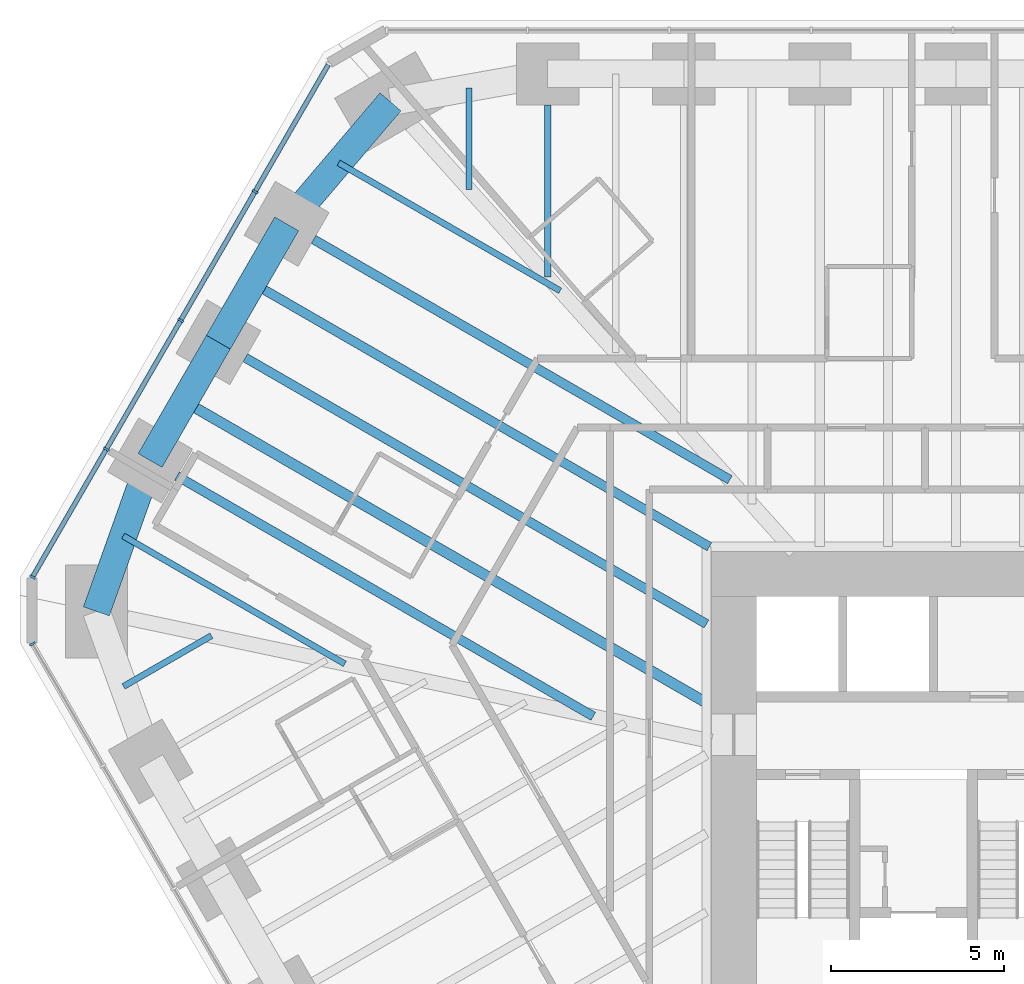
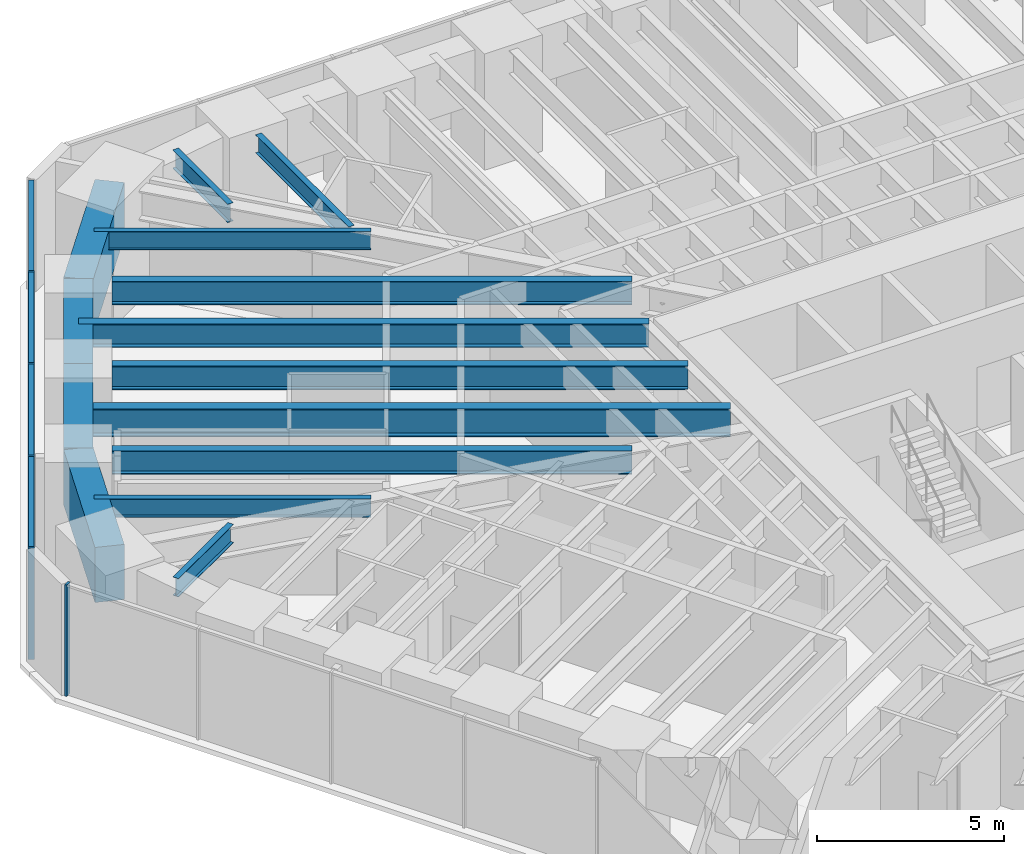
# One storey, part 7 of 17: 14 beams, 9 members, 2 elements without a shape of their own.
"""IFC4 building model written with IfcOpenShell, lengths in metres."""

from ifc_helpers import new_model, si_unit, direction, frame, origin, origin_2d, place, context, subcontext, project, spatial, rectangle, i_section, extrude, material, material_profile, profile_set, type_object, element, aggregate, save


model = new_model("IFC4")

# Units and contexts
model_context = context("Model", 3, precision=1e-05, world=origin(), true_north=direction((0.0, 1.0)))
body_context = subcontext(model_context, "Body", "Model", "MODEL_VIEW")
ifc_project = project(units=[si_unit("LENGTHUNIT", "METRE"), si_unit("AREAUNIT", "SQUARE_METRE"), si_unit("VOLUMEUNIT", "CUBIC_METRE"), si_unit("PLANEANGLEUNIT", "RADIAN"), si_unit("MASSUNIT", "GRAM", prefix="KILO")], contexts=[model_context])

# Site, building, storey
site_placement = place(None, origin())
site = spatial("IfcSite", under=ifc_project, at=site_placement, CompositionType="ELEMENT")
building_placement = place(site_placement, origin())
building = spatial("IfcBuilding", under=site, at=building_placement, Name="Sandreach Pilgrim Tower", CompositionType="ELEMENT")
storey_placement = place(building_placement, frame((0.0, 0.0, 142.39990234375)))
storey = spatial("IfcBuildingStorey", under=building, at=storey_placement, Name="L35", CompositionType="ELEMENT", Elevation=142.39990234375)

# Curtain wall, member
ifc_material_1 = material(Name="Aluminium framed curtain wall", Category="aluminium")
curtain_wall_type = type_object("IfcCurtainWallType", Name="Hotel tower curtain wall", PredefinedType="NOTDEFINED", material=ifc_material_1)
curtain_wall_1_placement = place(storey_placement, origin())
curtain_wall_1 = element("IfcCurtainWall", 1, at=curtain_wall_1_placement, inside=storey, type_object=curtain_wall_type, Name="CW-2 L35 SW", PredefinedType="NOTDEFINED")
ifc_material_2 = material(Name="Aluminium extrusion", Category="aluminium")
ifc_material_profile_1 = material_profile(ifc_material_2, rectangle(XDim=0.06494140625, YDim=0.179931640625, at=origin_2d()), Name="CW-2M 65X180")
ifc_profile_set_1 = profile_set([ifc_material_profile_1], Name="Aluminium extrusion")
member_type_1 = type_object("IfcMemberType", Name="CW-2 mullion", PredefinedType="MULLION", material=ifc_profile_set_1)
member_1_placement = place(storey_placement, frame((-28.70458984375, 4.730224609375, 0.0), z_axis=(0.0, 0.0, 1.0), x_axis=(-0.5, 0.866025403784, 0.0)))
member_1 = element("IfcMember", 2, at=member_1_placement, type_object=member_type_1, Name="CW-2 mullion 10", PredefinedType="MULLION", context=body_context, shape_type="SweptSolid", body=[
    extrude(rectangle(XDim=0.06494140625, YDim=0.179931640625, at=origin_2d()), origin(), (0.0, 0.0, 1.0), 3.64013671875),
])
aggregate(curtain_wall_1, [member_1])

# Curtain wall, members
curtain_wall_2_placement = place(storey_placement, origin())
curtain_wall_2 = element("IfcCurtainWall", 3, at=curtain_wall_2_placement, inside=storey, type_object=curtain_wall_type, Name="CW-2 L35 NW", PredefinedType="NOTDEFINED")
member_2_placement = place(storey_placement, frame((-28.70458984375, 6.66650390625, 0.0), z_axis=(0.0, 0.0, 1.0), x_axis=(0.5, 0.866025403784, 0.0)))
member_2 = element("IfcMember", 4, at=member_2_placement, type_object=member_type_1, Name="CW-2 mullion 1", PredefinedType="MULLION", context=body_context, shape_type="SweptSolid", body=[
    extrude(rectangle(XDim=0.06494140625, YDim=0.179931640625, at=origin_2d()), origin(), (0.0, 0.0, 1.0), 3.64013671875),
])
member_3_placement = place(storey_placement, frame((-26.568115234375, 10.3671875, 0.0), z_axis=(0.0, 0.0, 1.0), x_axis=(0.5, 0.866025403784, 0.0)))
member_3 = element("IfcMember", 5, at=member_3_placement, type_object=member_type_1, Name="CW-2 mullion 2", PredefinedType="MULLION", context=body_context, shape_type="SweptSolid", body=[
    extrude(rectangle(XDim=0.06494140625, YDim=0.179931640625, at=origin_2d()), origin(), (0.0, 0.0, 1.0), 3.64013671875),
])
member_4_placement = place(storey_placement, frame((-24.415283203125, 14.09619140625, 0.0), z_axis=(0.0, 0.0, 1.0), x_axis=(0.5, 0.866025403784, 0.0)))
member_4 = element("IfcMember", 6, at=member_4_placement, type_object=member_type_1, Name="CW-2 mullion 3", PredefinedType="MULLION", context=body_context, shape_type="SweptSolid", body=[
    extrude(rectangle(XDim=0.06494140625, YDim=0.179931640625, at=origin_2d()), origin(), (0.0, 0.0, 1.0), 3.64013671875),
])
member_5_placement = place(storey_placement, frame((-22.262451171875, 17.824951171875, 0.0), z_axis=(0.0, 0.0, 1.0), x_axis=(0.5, 0.866025403784, 0.0)))
member_5 = element("IfcMember", 7, at=member_5_placement, type_object=member_type_1, Name="CW-2 mullion 4", PredefinedType="MULLION", context=body_context, shape_type="SweptSolid", body=[
    extrude(rectangle(XDim=0.06494140625, YDim=0.179931640625, at=origin_2d()), origin(), (0.0, 0.0, 1.0), 3.64013671875),
])
ifc_material_3 = material(Name="Aluminium extrusion", Category="aluminium")
ifc_material_profile_2 = material_profile(ifc_material_3, rectangle(XDim=0.139892578125, YDim=0.070068359375, at=origin_2d()), Name="CW-2T 140X70")
ifc_profile_set_2 = profile_set([ifc_material_profile_2], Name="Aluminium extrusion")
member_type_2 = type_object("IfcMemberType", Name="CW-2 transom", PredefinedType="USERDEFINED", material=ifc_profile_set_2)
member_6_placement = place(storey_placement, frame((-28.6884765625, 6.69482421875, 3.60498046875), z_axis=(0.500038835258, 0.866002981077, 0.0), x_axis=(-0.866002981077, 0.500038835258, 0.0)))
member_6 = element("IfcMember", 8, at=member_6_placement, type_object=member_type_2, Name="CW-2 head transom 1", ObjectType="TRANSOM", PredefinedType="USERDEFINED", context=body_context, shape_type="SweptSolid", body=[
    extrude(rectangle(XDim=0.139892578125, YDim=0.070068359375, at=origin_2d()), origin(), (0.0, 0.0, 1.0), 4.208251953125),
])
member_7_placement = place(storey_placement, frame((-26.5517578125, 10.3955078125, 3.60498046875), z_axis=(0.500021471012, 0.866013007135, 0.0), x_axis=(-0.866013007135, 0.500021471012, 0.0)))
member_7 = element("IfcMember", 9, at=member_7_placement, type_object=member_type_2, Name="CW-2 head transom 2", ObjectType="TRANSOM", PredefinedType="USERDEFINED", context=body_context, shape_type="SweptSolid", body=[
    extrude(rectangle(XDim=0.139892578125, YDim=0.070068359375, at=origin_2d()), origin(), (0.0, 0.0, 1.0), 4.240478515625),
])
member_8_placement = place(storey_placement, frame((-24.39892578125, 14.124267578125, 3.60498046875), z_axis=(0.499996541496, 0.866027400544, 0.0), x_axis=(-0.866027400544, 0.499996541496, 0.0)))
member_8 = element("IfcMember", 10, at=member_8_placement, type_object=member_type_2, Name="CW-2 head transom 3", ObjectType="TRANSOM", PredefinedType="USERDEFINED", context=body_context, shape_type="SweptSolid", body=[
    extrude(rectangle(XDim=0.139892578125, YDim=0.070068359375, at=origin_2d()), origin(), (0.0, 0.0, 1.0), 4.24072265625),
])
member_9_placement = place(storey_placement, frame((-22.24609375, 17.85302734375, 3.60498046875), z_axis=(0.49997020258, 0.86604260665, 0.0), x_axis=(-0.86604260665, 0.49997020258, 0.0)))
member_9 = element("IfcMember", 11, at=member_9_placement, type_object=member_type_2, Name="CW-2 head transom 4", ObjectType="TRANSOM", PredefinedType="USERDEFINED", context=body_context, shape_type="SweptSolid", body=[
    extrude(rectangle(XDim=0.139892578125, YDim=0.070068359375, at=origin_2d()), origin(), (0.0, 0.0, 1.0), 4.208251953125),
])
aggregate(curtain_wall_2, [member_2, member_3, member_4, member_5, member_6, member_7, member_8, member_9])

# Beams
ifc_material_4 = material(Name="Steel ASTM A992 Grade 50", Category="steel")
ifc_material_profile_3 = material_profile(ifc_material_4, i_section(OverallWidth=0.1787109375, OverallDepth=0.60205078125, WebThickness=0.010986328125, FlangeThickness=0.014892578125, at=origin_2d()), Name="W24X62")
ifc_profile_set_3 = profile_set([ifc_material_profile_3], Name="Steel ASTM A992 Grade 50")
beam_type_1 = type_object("IfcBeamType", Name="Floor beam W24X62", PredefinedType="BEAM", material=ifc_profile_set_3)
beam_1_placement = place(storey_placement, frame((-13.789794921875, 20.333740234375, 3.339111328125), z_axis=(0.0, -1.0, 0.0), x_axis=(1.0, 0.0, 0.0)))
element("IfcBeam", 12, at=beam_1_placement, inside=storey, type_object=beam_type_1, Name="BM L35 F01", PredefinedType="BEAM", context=body_context, shape_type="SweptSolid", body=[
    extrude(i_section(OverallWidth=0.1787109375, OverallDepth=0.60205078125, WebThickness=0.010986328125, FlangeThickness=0.014892578125, at=origin_2d()), origin(), (0.0, 0.0, 1.0), 4.9765625),
])
beam_2_placement = place(storey_placement, frame((-26.070556640625, 3.498046875, 3.339111328125), z_axis=(0.866051374412, 0.499955014855, 0.0), x_axis=(-0.499955014855, 0.866051374412, 0.0)))
element("IfcBeam", 13, at=beam_2_placement, inside=storey, type_object=beam_type_1, Name="BM L35 FM34", PredefinedType="BEAM", context=body_context, shape_type="SweptSolid", body=[
    extrude(i_section(OverallWidth=0.1787109375, OverallDepth=0.60205078125, WebThickness=0.010986328125, FlangeThickness=0.014892578125, at=origin_2d()), origin(), (0.0, 0.0, 1.0), 2.938232421875),
])
for number, where, z_axis, x_axis, name in (
    (14, (-26.079345703125, 7.855712890625, 3.339111328125), (0.866025875064, -0.499999183719, 0.0), (0.499999183719, 0.866025875064, 0.0), "BM L35 FM35"),
    (15, (-19.8427734375, 18.65771484375, 3.339111328125), (0.866025875064, -0.499999183719, 0.0), (0.499999183719, 0.866025875064, 0.0), "BM L35 FM38"),
):
    element("IfcBeam", number, at=place(storey_placement, frame(where, z_axis=z_axis, x_axis=x_axis)), inside=storey, type_object=beam_type_1, Name=name, PredefinedType="BEAM", context=body_context, shape_type="SweptSolid", body=[
        extrude(i_section(OverallWidth=0.1787109375, OverallDepth=0.60205078125, WebThickness=0.010986328125, FlangeThickness=0.014892578125, at=origin_2d()), origin(), (0.0, 0.0, 1.0), 7.40771484375),
    ])
beam_3_placement = place(storey_placement, frame((-16.064697265625, 20.828857421875, 3.339111328125), z_axis=(0.0, -1.0, 0.0), x_axis=(1.0, 0.0, 0.0)))
element("IfcBeam", 16, at=beam_3_placement, inside=storey, type_object=beam_type_1, Name="BM L35 FM39", PredefinedType="BEAM", context=body_context, shape_type="SweptSolid", body=[
    extrude(i_section(OverallWidth=0.1787109375, OverallDepth=0.60205078125, WebThickness=0.010986328125, FlangeThickness=0.014892578125, at=origin_2d()), origin(), (0.0, 0.0, 1.0), 2.938232421875),
])
ifc_material_5 = material(Name="Steel ASTM A992 Grade 50", Category="steel")
ifc_material_profile_4 = material_profile(ifc_material_5, i_section(OverallWidth=0.2666015625, OverallDepth=0.761962890625, WebThickness=0.014404296875, FlangeThickness=0.021484375, at=origin_2d()), Name="W30X116")
ifc_profile_set_4 = profile_set([ifc_material_profile_4], Name="Steel ASTM A992 Grade 50")
beam_type_2 = type_object("IfcBeamType", Name="Floor beam W30X116", PredefinedType="BEAM", material=ifc_profile_set_4)
beam_4_placement = place(storey_placement, frame((-24.522216796875, 9.5908203125, 3.259033203125), z_axis=(0.866026649588, -0.499997842199, 0.0), x_axis=(0.499997842199, 0.866026649588, 0.0)))
element("IfcBeam", 17, at=beam_4_placement, inside=storey, type_object=beam_type_2, Name="BM L35 F36", PredefinedType="BEAM", context=body_context, shape_type="SweptSolid", body=[
    extrude(i_section(OverallWidth=0.2666015625, OverallDepth=0.761962890625, WebThickness=0.014404296875, FlangeThickness=0.021484375, at=origin_2d()), origin(), (0.0, 0.0, 1.0), 13.91552734375),
])
beam_5_placement = place(storey_placement, frame((-20.56689453125, 16.44140625, 3.259033203125), z_axis=(0.866022263426, -0.500005439221, 0.0), x_axis=(0.500005439221, 0.866022263426, 0.0)))
element("IfcBeam", 18, at=beam_5_placement, inside=storey, type_object=beam_type_2, Name="BM L35 F38", PredefinedType="BEAM", context=body_context, shape_type="SweptSolid", body=[
    extrude(i_section(OverallWidth=0.2666015625, OverallDepth=0.761962890625, WebThickness=0.014404296875, FlangeThickness=0.021484375, at=origin_2d()), origin(), (0.0, 0.0, 1.0), 13.915283203125),
])
ifc_material_6 = material(Name="Steel ASTM A992 Grade 50", Category="steel")
ifc_material_profile_5 = material_profile(ifc_material_6, i_section(OverallWidth=0.2666015625, OverallDepth=0.77978515625, WebThickness=0.0166015625, FlangeThickness=0.030029296875, at=origin_2d()), Name="W30X148")
ifc_profile_set_5 = profile_set([ifc_material_profile_5], Name="Steel ASTM A992 Grade 50")
beam_type_3 = type_object("IfcBeamType", Name="Floor beam W30X148", PredefinedType="BEAM", material=ifc_profile_set_5)
beam_6_placement = place(storey_placement, frame((-22.544677734375, 13.01611328125, 3.250244140625), z_axis=(0.866029203842, -0.49999341805, 0.0), x_axis=(0.49999341805, 0.866029203842, 0.0)))
element("IfcBeam", 19, at=beam_6_placement, inside=storey, type_object=beam_type_3, Name="BM L35 F37", PredefinedType="BEAM", context=body_context, shape_type="SweptSolid", body=[
    extrude(i_section(OverallWidth=0.2666015625, OverallDepth=0.77978515625, WebThickness=0.0166015625, FlangeThickness=0.030029296875, at=origin_2d()), origin(), (0.0, 0.0, 1.0), 15.416748046875),
])
beam_7_placement = place(storey_placement, frame((-22.335205078125, 15.1787109375, 3.250244140625), z_axis=(0.866028773314, -0.499994163758, 0.0), x_axis=(0.499994163758, 0.866028773314, 0.0)))
element("IfcBeam", 20, at=beam_7_placement, inside=storey, type_object=beam_type_3, Name="BM L35 FM37", PredefinedType="BEAM", context=body_context, shape_type="SweptSolid", body=[
    extrude(i_section(OverallWidth=0.2666015625, OverallDepth=0.77978515625, WebThickness=0.0166015625, FlangeThickness=0.030029296875, at=origin_2d()), origin(), (0.0, 0.0, 1.0), 15.270751953125),
])
ifc_material_7 = material(Name="Steel ASTM A992 Grade 50", Category="steel")
ifc_material_profile_6 = material_profile(ifc_material_7, i_section(OverallWidth=0.3046875, OverallDepth=0.914306640625, WebThickness=0.0166015625, FlangeThickness=0.02587890625, at=origin_2d()), Name="W36X160")
ifc_profile_set_6 = profile_set([ifc_material_profile_6], Name="Steel ASTM A992 Grade 50")
beam_type_4 = type_object("IfcBeamType", Name="Floor beam W36X160", PredefinedType="BEAM", material=ifc_profile_set_6)
beam_8_placement = place(storey_placement, frame((-24.312744140625, 11.75341796875, 3.182861328125), z_axis=(0.866023737483, -0.500002886107, 0.0), x_axis=(0.500002886107, 0.866023737483, 0.0)))
element("IfcBeam", 21, at=beam_8_placement, inside=storey, type_object=beam_type_4, Name="BM L35 FM36", PredefinedType="BEAM", context=body_context, shape_type="SweptSolid", body=[
    extrude(i_section(OverallWidth=0.3046875, OverallDepth=0.914306640625, WebThickness=0.0166015625, FlangeThickness=0.02587890625, at=origin_2d()), origin(), (0.0, 0.0, 1.0), 17.45849609375),
])
ifc_material_8 = material(Name="Concrete 10000 psi", Category="concrete")
ifc_material_profile_7 = material_profile(ifc_material_8, rectangle(XDim=0.800048828125, YDim=1.800048828125, at=origin_2d()), Name="RC800X1800")
ifc_profile_set_7 = profile_set([ifc_material_profile_7], Name="Concrete 10000 psi")
beam_type_5 = type_object("IfcBeamType", Name="Spandrel beam RC800X1800", PredefinedType="SPANDREL", material=ifc_profile_set_7)
beam_9_placement = place(storey_placement, frame((-26.857177734375, 5.67041015625, 2.739990234375), z_axis=(0.335346041399, 0.942095023083, 0.0), x_axis=(-0.942095023083, 0.335346041399, 0.0)))
element("IfcBeam", 22, at=beam_9_placement, inside=storey, type_object=beam_type_5, Name="BM L35 SP35", PredefinedType="SPANDREL", context=body_context, shape_type="SweptSolid", body=[
    extrude(rectangle(XDim=0.800048828125, YDim=1.800048828125, at=origin_2d()), origin(), (0.0, 0.0, 1.0), 4.638916015625),
])
for number, where, z_axis, x_axis, name in (
    (23, (-25.301513671875, 10.040771484375, 2.739990234375), (0.499989616998, 0.866031398331, 0.0), (-0.866031398331, 0.499989616998, 0.0), "BM L35 SP36"),
    (24, (-23.323974609375, 13.466064453125, 2.739990234375), (0.499989616998, 0.866031398331, 0.0), (-0.866031398331, 0.499989616998, 0.0), "BM L35 SP37"),
):
    element("IfcBeam", number, at=place(storey_placement, frame(where, z_axis=z_axis, x_axis=x_axis)), inside=storey, type_object=beam_type_5, Name=name, PredefinedType="SPANDREL", context=body_context, shape_type="SweptSolid", body=[
        extrude(rectangle(XDim=0.800048828125, YDim=1.800048828125, at=origin_2d()), origin(), (0.0, 0.0, 1.0), 3.955078125),
    ])
beam_10_placement = place(storey_placement, frame((-21.346435546875, 16.891357421875, 2.739990234375), z_axis=(0.648208888384, 0.761462564425, 0.0), x_axis=(-0.761462564425, 0.648208888384, 0.0)))
element("IfcBeam", 25, at=beam_10_placement, inside=storey, type_object=beam_type_5, Name="BM L35 SP38", PredefinedType="SPANDREL", context=body_context, shape_type="SweptSolid", body=[
    extrude(rectangle(XDim=0.800048828125, YDim=1.800048828125, at=origin_2d()), origin(), (0.0, 0.0, 1.0), 4.63916015625),
])

save(model, "model.ifc")
